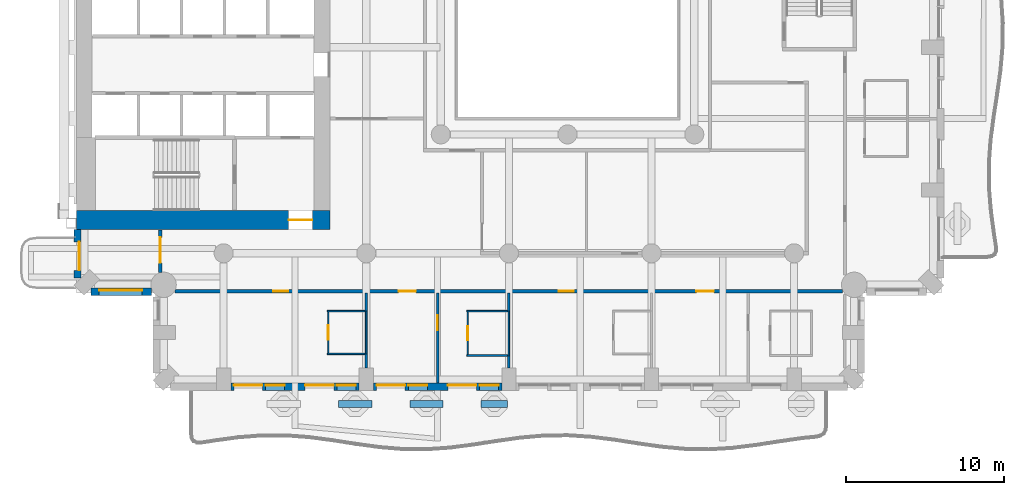
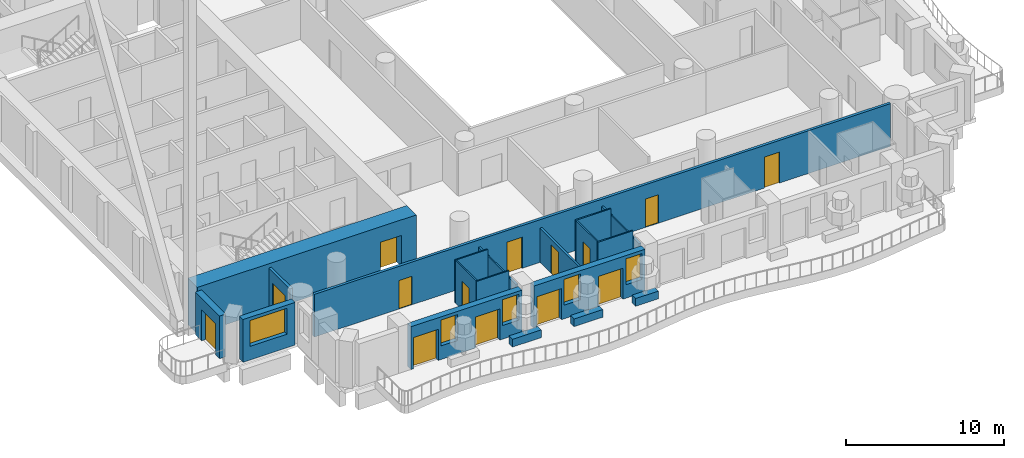
# One storey, part 5 of 24: 23 walls, 14 doors, 5 windows, 19 openings.
"""IFC4 building model written with IfcOpenShell, lengths in metres."""

from ifc_helpers import new_model, si_unit, direction, frame, frame_2d, origin, place, context, subcontext, project, spatial, rectangle, extrude, material, layer, layer_set, type_object, element, fill, save


model = new_model("IFC4")

# Units and contexts
model_context = context("Model", 3, precision=1e-05, world=origin(), true_north=direction((0.0, 1.0)))
body_context = subcontext(model_context, "Body", "Model", "MODEL_VIEW")
ifc_project = project(units=[si_unit("LENGTHUNIT", "METRE"), si_unit("AREAUNIT", "SQUARE_METRE"), si_unit("VOLUMEUNIT", "CUBIC_METRE"), si_unit("PLANEANGLEUNIT", "RADIAN"), si_unit("MASSUNIT", "GRAM", prefix="KILO")], contexts=[model_context])

# Site, building, storey
site_placement = place(None, origin())
site = spatial("IfcSite", under=ifc_project, at=site_placement, CompositionType="ELEMENT")
building_placement = place(site_placement, origin())
building = spatial("IfcBuilding", under=site, at=building_placement, Name="Cypress Arch Tower", CompositionType="ELEMENT")
storey_placement = place(building_placement, frame((0.0, 0.0, 102.300048828125)))
storey = spatial("IfcBuildingStorey", under=building, at=storey_placement, Name="L20", CompositionType="ELEMENT", Elevation=102.300048828125)

# Walls
ifc_material_1 = material(Name="Concrete C40/50, waterproofed", Category="concrete")
ifc_layer_1 = layer(ifc_material_1, 0.449951171875)
ifc_layer_set_1 = layer_set([ifc_layer_1], Name="Balcony planter wall PW450")
wall_type_1 = type_object("IfcWallType", Name="Balcony planter wall PW450", PredefinedType="SOLIDWALL", material=ifc_layer_set_1)
for number, where, z_axis, x_axis, name in (
    (1, (-13.449951171875, -27.0, 0.0), (0.0, 0.0, 1.0), (1.0, 0.0, 0.0), "Balcony planter wall L20-A03.2"),
    (2, (-8.949951171875, -27.0, 0.0), (0.0, 0.0, 1.0), (1.0, 0.0, 0.0), "Balcony planter wall L20-A03.3"),
):
    element("IfcWall", number, at=place(storey_placement, frame(where, z_axis=z_axis, x_axis=x_axis)), inside=storey, type_object=wall_type_1, Name=name, PredefinedType="SOLIDWALL", context=body_context, shape_type="SweptSolid", body=[
        extrude(rectangle(XDim=2.099853515625, YDim=0.449951171875, at=frame_2d((1.0498046875, 0.0))), origin(), (0.0, 0.0, 1.0), 0.599853515625),
    ])
wall_1_placement = place(storey_placement, frame((-4.449951171875, -27.0, 0.0), z_axis=(0.0, 0.0, 1.0), x_axis=(1.0, 0.0, 0.0)))
element("IfcWall", 3, at=wall_1_placement, inside=storey, type_object=wall_type_1, Name="Balcony planter wall L20-A03.4", PredefinedType="SOLIDWALL", context=body_context, shape_type="SweptSolid", body=[
    extrude(rectangle(XDim=1.64990234375, YDim=0.449951171875, at=frame_2d((0.824951171875, 0.0))), origin(), (0.0, 0.0, 1.0), 0.599853515625),
])

# Wall, opening, door
ifc_material_2 = material(Name="Brick (red buff blend)", Category="masonry")
ifc_layer_2 = layer(ifc_material_2, 0.449951171875)
ifc_layer_set_2 = layer_set([ifc_layer_2], Name="Brick pier and spandrel wall BW450")
wall_type_2 = type_object("IfcWallType", Name="Brick pier and spandrel wall BW450", PredefinedType="SOLIDWALL", material=ifc_layer_set_2)
wall_2_placement = place(storey_placement, frame((-29.925048828125, -16.0, 0.0), z_axis=(0.0, 0.0, 1.0), x_axis=(0.0, -1.0, 0.0)))
wall_2 = element("IfcWall", 4, at=wall_2_placement, inside=storey, type_object=wall_type_2, Name="Brick wall L20 A00.0.1", PredefinedType="SOLIDWALL", context=body_context, shape_type="SweptSolid", body=[
    extrude(rectangle(XDim=3.063720703125, YDim=0.449951171875, at=frame_2d((1.53173828125, 0.0))), origin(), (0.0, 0.0, 1.0), 3.300048828125),
])
opening_1_placement = place(wall_2_placement, frame((0.78173828125, 0.0, 0.0)))
opening_1 = element("IfcOpeningElement", 5, at=opening_1_placement, cuts=wall_2, Name="Opening D-L20-A00.0.1.9", PredefinedType="OPENING", context=body_context, shape_type="SweptSolid", body=[
    extrude(rectangle(XDim=1.800048828125, YDim=2.39990234375, at=frame_2d((0.89990234375, 1.199951171875))), frame((0.0, 0.23486328125, 0.0), z_axis=(0.0, -1.0, 0.0), x_axis=(1.0, 0.0, 0.0)), (0.0, 0.0, 1.0), 0.469970703125),
])
ifc_material_3 = material(Name="Anodised aluminium, bronze finish, laminated low-emissivity double glazing, large-missile impact rated", Category="aluminium")
door_type_1 = type_object("IfcDoorType", Name="Balcony sliding door 1800x2400", OperationType="SLIDING_TO_LEFT", PredefinedType="DOOR", material=ifc_material_3)
door_1_placement = place(opening_1_placement, origin())
door_1 = element("IfcDoor", 6, at=door_1_placement, inside=storey, type_object=door_type_1, Name="Balcony door L20 A00.0.1.9", OperationType="SLIDING_TO_LEFT", OverallHeight=2.39990234375, OverallWidth=1.800048828125, PredefinedType="DOOR", context=body_context, shape_type="SweptSolid", body=[
    extrude(rectangle(XDim=1.800048828125, YDim=2.39990234375, at=frame_2d((0.89990234375, 1.199951171875))), frame((0.0, 0.1298828125, 0.0), z_axis=(0.0, -1.0, 0.0), x_axis=(1.0, 0.0, 0.0)), (0.0, 0.0, 1.0), 0.050048828125),
])
fill(opening_1, door_1)

# Wall, opening, window
wall_3_placement = place(storey_placement, frame((-29.063720703125, -19.925048828125, 0.0), z_axis=(0.0, 0.0, 1.0), x_axis=(1.0, 0.0, 0.0)))
wall_3 = element("IfcWall", 7, at=wall_3_placement, inside=storey, type_object=wall_type_2, Name="Brick wall L20 A01.0", PredefinedType="SOLIDWALL", context=body_context, shape_type="SweptSolid", body=[
    extrude(rectangle(XDim=3.80517578125, YDim=0.449951171875, at=frame_2d((1.902587890625, 0.0))), origin(), (0.0, 0.0, 1.0), 3.300048828125),
])
opening_2_placement = place(wall_3_placement, frame((0.513671875, 0.0, 1.050048828125)))
opening_2 = element("IfcOpeningElement", 8, at=opening_2_placement, cuts=wall_3, Name="Opening W270H", PredefinedType="OPENING", context=body_context, shape_type="SweptSolid", body=[
    extrude(rectangle(XDim=2.699951171875, YDim=2.0, at=frame_2d((1.35009765625, 1.0))), frame((0.0, 0.23486328125, 0.0), z_axis=(0.0, -1.0, 0.0), x_axis=(1.0, 0.0, 0.0)), (0.0, 0.0, 1.0), 0.469970703125),
])
ifc_material_4 = material(Name="Anodised aluminium, bronze finish, clear low-emissivity double glazing", Category="aluminium")
window_type_1 = type_object("IfcWindowType", Name="Window Hotel 2700x2000", PartitioningType="SINGLE_PANEL", PredefinedType="WINDOW", material=ifc_material_4)
window_1_placement = place(opening_2_placement, origin())
window_1 = element("IfcWindow", 9, at=window_1_placement, inside=storey, type_object=window_type_1, Name="Window L20 A01.0.1", OverallHeight=2.0, OverallWidth=2.699951171875, PartitioningType="SINGLE_PANEL", PredefinedType="WINDOW", context=body_context, shape_type="SweptSolid", body=[
    extrude(rectangle(XDim=2.699951171875, YDim=2.0, at=frame_2d((1.35009765625, 1.0))), frame((0.0, 0.135009765625, 0.0), z_axis=(0.0, -1.0, 0.0), x_axis=(1.0, 0.0, 0.0)), (0.0, 0.0, 1.0), 0.06005859375),
])
fill(opening_2, window_1)

# Wall, openings, doors, windows
wall_4_placement = place(storey_placement, frame((-20.25, -25.925048828125, 0.0), z_axis=(0.0, 0.0, 1.0), x_axis=(1.0, 0.0, 0.0)))
wall_4 = element("IfcWall", 10, at=wall_4_placement, inside=storey, type_object=wall_type_2, Name="Brick wall L20 A03.1", PredefinedType="SOLIDWALL", context=body_context, shape_type="SweptSolid", body=[
    extrude(rectangle(XDim=8.10009765625, YDim=0.449951171875, at=frame_2d((4.050048828125, 0.0))), origin(), (0.0, 0.0, 1.0), 3.300048828125),
])
opening_3_placement = place(wall_4_placement, frame((0.199951171875, 0.0, 0.0)))
opening_3 = element("IfcOpeningElement", 11, at=opening_3_placement, cuts=wall_4, Name="Opening D-L20-A03.1.1", PredefinedType="OPENING", context=body_context, shape_type="SweptSolid", body=[
    extrude(rectangle(XDim=1.800048828125, YDim=2.39990234375, at=frame_2d((0.89990234375, 1.199951171875))), frame((0.0, 0.23486328125, 0.0), z_axis=(0.0, -1.0, 0.0), x_axis=(1.0, 0.0, 0.0)), (0.0, 0.0, 1.0), 0.469970703125),
])
opening_4_placement = place(wall_4_placement, frame((2.199951171875, 0.0, 1.050048828125)))
opening_4 = element("IfcOpeningElement", 12, at=opening_4_placement, cuts=wall_4, Name="Opening W120HD", PredefinedType="OPENING", context=body_context, shape_type="SweptSolid", body=[
    extrude(rectangle(XDim=1.199951171875, YDim=2.0, at=frame_2d((0.60009765625, 1.0))), frame((0.0, 0.23486328125, 0.0), z_axis=(0.0, -1.0, 0.0), x_axis=(1.0, 0.0, 0.0)), (0.0, 0.0, 1.0), 0.469970703125),
])
opening_5_placement = place(wall_4_placement, frame((4.699951171875, 0.0, 0.0)))
opening_5 = element("IfcOpeningElement", 13, at=opening_5_placement, cuts=wall_4, Name="Opening D-L20-A03.1.2", PredefinedType="OPENING", context=body_context, shape_type="SweptSolid", body=[
    extrude(rectangle(XDim=1.800048828125, YDim=2.39990234375, at=frame_2d((0.89990234375, 1.199951171875))), frame((0.0, 0.23486328125, 0.0), z_axis=(0.0, -1.0, 0.0), x_axis=(1.0, 0.0, 0.0)), (0.0, 0.0, 1.0), 0.469970703125),
])
opening_6_placement = place(wall_4_placement, frame((6.699951171875, 0.0, 1.050048828125)))
opening_6 = element("IfcOpeningElement", 14, at=opening_6_placement, cuts=wall_4, Name="Opening W120HD", PredefinedType="OPENING", context=body_context, shape_type="SweptSolid", body=[
    extrude(rectangle(XDim=1.199951171875, YDim=2.0, at=frame_2d((0.60009765625, 1.0))), frame((0.0, 0.23486328125, 0.0), z_axis=(0.0, -1.0, 0.0), x_axis=(1.0, 0.0, 0.0)), (0.0, 0.0, 1.0), 0.469970703125),
])
door_2_placement = place(opening_3_placement, origin())
door_2 = element("IfcDoor", 15, at=door_2_placement, inside=storey, type_object=door_type_1, Name="Balcony door L20 A03.1.1", OperationType="SLIDING_TO_LEFT", OverallHeight=2.39990234375, OverallWidth=1.800048828125, PredefinedType="DOOR", context=body_context, shape_type="SweptSolid", body=[
    extrude(rectangle(XDim=1.800048828125, YDim=2.39990234375, at=frame_2d((0.89990234375, 1.199951171875))), frame((0.0, 0.1298828125, 0.0), z_axis=(0.0, -1.0, 0.0), x_axis=(1.0, 0.0, 0.0)), (0.0, 0.0, 1.0), 0.050048828125),
])
fill(opening_3, door_2)
door_3_placement = place(opening_5_placement, origin())
door_3 = element("IfcDoor", 16, at=door_3_placement, inside=storey, type_object=door_type_1, Name="Balcony door L20 A03.1.2", OperationType="SLIDING_TO_LEFT", OverallHeight=2.39990234375, OverallWidth=1.800048828125, PredefinedType="DOOR", context=body_context, shape_type="SweptSolid", body=[
    extrude(rectangle(XDim=1.800048828125, YDim=2.39990234375, at=frame_2d((0.89990234375, 1.199951171875))), frame((0.0, 0.1298828125, 0.0), z_axis=(0.0, -1.0, 0.0), x_axis=(1.0, 0.0, 0.0)), (0.0, 0.0, 1.0), 0.050048828125),
])
fill(opening_5, door_3)
ifc_material_5 = material(Name="Anodised aluminium, bronze finish, laminated low-emissivity double glazing, large-missile impact rated", Category="aluminium")
window_type_2 = type_object("IfcWindowType", Name="Window Hotel 1200x2000 debris-rated", PartitioningType="SINGLE_PANEL", PredefinedType="WINDOW", material=ifc_material_5)
window_2_placement = place(opening_4_placement, origin())
window_2 = element("IfcWindow", 17, at=window_2_placement, inside=storey, type_object=window_type_2, Name="Window L20 A03.1.1", OverallHeight=2.0, OverallWidth=1.199951171875, PartitioningType="SINGLE_PANEL", PredefinedType="WINDOW", context=body_context, shape_type="SweptSolid", body=[
    extrude(rectangle(XDim=1.199951171875, YDim=2.0, at=frame_2d((0.60009765625, 1.0))), frame((0.0, 0.135009765625, 0.0), z_axis=(0.0, -1.0, 0.0), x_axis=(1.0, 0.0, 0.0)), (0.0, 0.0, 1.0), 0.06005859375),
])
fill(opening_4, window_2)
window_3_placement = place(opening_6_placement, origin())
window_3 = element("IfcWindow", 18, at=window_3_placement, inside=storey, type_object=window_type_2, Name="Window L20 A03.1.2", OverallHeight=2.0, OverallWidth=1.199951171875, PartitioningType="SINGLE_PANEL", PredefinedType="WINDOW", context=body_context, shape_type="SweptSolid", body=[
    extrude(rectangle(XDim=1.199951171875, YDim=2.0, at=frame_2d((0.60009765625, 1.0))), frame((0.0, 0.135009765625, 0.0), z_axis=(0.0, -1.0, 0.0), x_axis=(1.0, 0.0, 0.0)), (0.0, 0.0, 1.0), 0.06005859375),
])
fill(opening_6, window_3)

wall_5_placement = place(storey_placement, frame((-11.25, -25.925048828125, 0.0), z_axis=(0.0, 0.0, 1.0), x_axis=(1.0, 0.0, 0.0)))
wall_5 = element("IfcWall", 19, at=wall_5_placement, inside=storey, type_object=wall_type_2, Name="Brick wall L20 A03.2", PredefinedType="SOLIDWALL", context=body_context, shape_type="SweptSolid", body=[
    extrude(rectangle(XDim=8.10009765625, YDim=0.449951171875, at=frame_2d((4.050048828125, 0.0))), origin(), (0.0, 0.0, 1.0), 3.300048828125),
])
opening_7_placement = place(wall_5_placement, frame((0.199951171875, 0.0, 0.0)))
opening_7 = element("IfcOpeningElement", 20, at=opening_7_placement, cuts=wall_5, Name="Opening D-L20-A03.2.1", PredefinedType="OPENING", context=body_context, shape_type="SweptSolid", body=[
    extrude(rectangle(XDim=1.800048828125, YDim=2.39990234375, at=frame_2d((0.89990234375, 1.199951171875))), frame((0.0, 0.23486328125, 0.0), z_axis=(0.0, -1.0, 0.0), x_axis=(1.0, 0.0, 0.0)), (0.0, 0.0, 1.0), 0.469970703125),
])
opening_8_placement = place(wall_5_placement, frame((2.199951171875, 0.0, 1.050048828125)))
opening_8 = element("IfcOpeningElement", 21, at=opening_8_placement, cuts=wall_5, Name="Opening W120HD", PredefinedType="OPENING", context=body_context, shape_type="SweptSolid", body=[
    extrude(rectangle(XDim=1.199951171875, YDim=2.0, at=frame_2d((0.60009765625, 1.0))), frame((0.0, 0.23486328125, 0.0), z_axis=(0.0, -1.0, 0.0), x_axis=(1.0, 0.0, 0.0)), (0.0, 0.0, 1.0), 0.469970703125),
])
opening_9_placement = place(wall_5_placement, frame((4.699951171875, 0.0, 0.0)))
opening_9 = element("IfcOpeningElement", 22, at=opening_9_placement, cuts=wall_5, Name="Opening D-L20-A03.2.2", PredefinedType="OPENING", context=body_context, shape_type="SweptSolid", body=[
    extrude(rectangle(XDim=1.800048828125, YDim=2.39990234375, at=frame_2d((0.89990234375, 1.199951171875))), frame((0.0, 0.23486328125, 0.0), z_axis=(0.0, -1.0, 0.0), x_axis=(1.0, 0.0, 0.0)), (0.0, 0.0, 1.0), 0.469970703125),
])
opening_10_placement = place(wall_5_placement, frame((6.699951171875, 0.0, 1.050048828125)))
opening_10 = element("IfcOpeningElement", 23, at=opening_10_placement, cuts=wall_5, Name="Opening W120HD", PredefinedType="OPENING", context=body_context, shape_type="SweptSolid", body=[
    extrude(rectangle(XDim=1.199951171875, YDim=2.0, at=frame_2d((0.60009765625, 1.0))), frame((0.0, 0.23486328125, 0.0), z_axis=(0.0, -1.0, 0.0), x_axis=(1.0, 0.0, 0.0)), (0.0, 0.0, 1.0), 0.469970703125),
])
door_4_placement = place(opening_7_placement, origin())
door_4 = element("IfcDoor", 24, at=door_4_placement, inside=storey, type_object=door_type_1, Name="Balcony door L20 A03.2.1", OperationType="SLIDING_TO_LEFT", OverallHeight=2.39990234375, OverallWidth=1.800048828125, PredefinedType="DOOR", context=body_context, shape_type="SweptSolid", body=[
    extrude(rectangle(XDim=1.800048828125, YDim=2.39990234375, at=frame_2d((0.89990234375, 1.199951171875))), frame((0.0, 0.1298828125, 0.0), z_axis=(0.0, -1.0, 0.0), x_axis=(1.0, 0.0, 0.0)), (0.0, 0.0, 1.0), 0.050048828125),
])
fill(opening_7, door_4)
door_5_placement = place(opening_9_placement, origin())
door_5 = element("IfcDoor", 25, at=door_5_placement, inside=storey, type_object=door_type_1, Name="Balcony door L20 A03.2.2", OperationType="SLIDING_TO_LEFT", OverallHeight=2.39990234375, OverallWidth=1.800048828125, PredefinedType="DOOR", context=body_context, shape_type="SweptSolid", body=[
    extrude(rectangle(XDim=1.800048828125, YDim=2.39990234375, at=frame_2d((0.89990234375, 1.199951171875))), frame((0.0, 0.1298828125, 0.0), z_axis=(0.0, -1.0, 0.0), x_axis=(1.0, 0.0, 0.0)), (0.0, 0.0, 1.0), 0.050048828125),
])
fill(opening_9, door_5)
window_4_placement = place(opening_8_placement, origin())
window_4 = element("IfcWindow", 26, at=window_4_placement, inside=storey, type_object=window_type_2, Name="Window L20 A03.2.1", OverallHeight=2.0, OverallWidth=1.199951171875, PartitioningType="SINGLE_PANEL", PredefinedType="WINDOW", context=body_context, shape_type="SweptSolid", body=[
    extrude(rectangle(XDim=1.199951171875, YDim=2.0, at=frame_2d((0.60009765625, 1.0))), frame((0.0, 0.135009765625, 0.0), z_axis=(0.0, -1.0, 0.0), x_axis=(1.0, 0.0, 0.0)), (0.0, 0.0, 1.0), 0.06005859375),
])
fill(opening_8, window_4)
window_5_placement = place(opening_10_placement, origin())
window_5 = element("IfcWindow", 27, at=window_5_placement, inside=storey, type_object=window_type_2, Name="Window L20 A03.2.2", OverallHeight=2.0, OverallWidth=1.199951171875, PartitioningType="SINGLE_PANEL", PredefinedType="WINDOW", context=body_context, shape_type="SweptSolid", body=[
    extrude(rectangle(XDim=1.199951171875, YDim=2.0, at=frame_2d((0.60009765625, 1.0))), frame((0.0, 0.135009765625, 0.0), z_axis=(0.0, -1.0, 0.0), x_axis=(1.0, 0.0, 0.0)), (0.0, 0.0, 1.0), 0.06005859375),
])
fill(opening_10, window_5)

# Wall, opening, door
ifc_material_6 = material(Name="Concrete C80/95", Category="concrete")
ifc_layer_3 = layer(ifc_material_6, 1.199951171875)
ifc_layer_set_3 = layer_set([ifc_layer_3], Name="Core wall CW1200 C80/95")
wall_type_3 = type_object("IfcWallType", Name="Core wall CW1200 C80/95", PredefinedType="SHEAR", material=ifc_layer_set_3)
wall_6_placement = place(storey_placement, frame((-30.0, -15.39990234375, 0.0), z_axis=(0.0, 0.0, 1.0), x_axis=(1.0, 0.0, 0.0)))
wall_6 = element("IfcWall", 28, at=wall_6_placement, inside=storey, type_object=wall_type_3, Name="Core wall", PredefinedType="SHEAR", context=body_context, shape_type="SweptSolid", body=[
    extrude(rectangle(XDim=16.0, YDim=1.199951171875, at=frame_2d((8.0, 0.0))), origin(), (0.0, 0.0, 1.0), 3.599853515625),
])
opening_11_placement = place(wall_6_placement, frame((13.39990234375, 0.0, 0.0)))
opening_11 = element("IfcOpeningElement", 29, at=opening_11_placement, cuts=wall_6, Name="Opening D07", PredefinedType="OPENING", context=body_context, shape_type="SweptSolid", body=[
    extrude(rectangle(XDim=1.5, YDim=2.39990234375, at=frame_2d((0.75, 1.199951171875))), frame((0.0, 0.60986328125, 0.0), z_axis=(0.0, -1.0, 0.0), x_axis=(1.0, 0.0, 0.0)), (0.0, 0.0, 1.0), 1.219970703125),
])
ifc_material_7 = material(Name="Steel framed glazed door, fire resisting", Category="steel")
door_type_2 = type_object("IfcDoorType", Name="Lobby door D07 1500x2400", OperationType="DOUBLE_DOOR_SINGLE_SWING", PredefinedType="DOOR", material=ifc_material_7)
door_6_placement = place(opening_11_placement, origin())
door_6 = element("IfcDoor", 30, at=door_6_placement, inside=storey, type_object=door_type_2, Name="Lobby door", OperationType="DOUBLE_DOOR_SINGLE_SWING", OverallHeight=2.39990234375, OverallWidth=1.5, PredefinedType="DOOR", context=body_context, shape_type="SweptSolid", body=[
    extrude(rectangle(XDim=1.5, YDim=2.39990234375, at=frame_2d((0.75, 1.199951171875))), frame((0.0, 0.02490234375, 0.0), z_axis=(0.0, -1.0, 0.0), x_axis=(1.0, 0.0, 0.0)), (0.0, 0.0, 1.0), 0.050048828125),
])
fill(opening_11, door_6)

ifc_material_8 = material(Name="Concrete blockwork, plastered, rated", Category="masonry")
ifc_layer_4 = layer(ifc_material_8, 0.199951171875)
ifc_layer_set_4 = layer_set([ifc_layer_4], Name="Corridor wall FW200")
wall_type_4 = type_object("IfcWallType", Name="Corridor wall FW200", PredefinedType="PARTITIONING", material=ifc_layer_set_4)
wall_7_placement = place(storey_placement, frame((-24.699951171875, -18.7001953125, 0.0), z_axis=(0.0, 0.0, 1.0), x_axis=(0.0, 1.0, 0.0)))
wall_7 = element("IfcWall", 31, at=wall_7_placement, inside=storey, type_object=wall_type_4, Name="Corridor wall", PredefinedType="PARTITIONING", context=body_context, shape_type="SweptSolid", body=[
    extrude(rectangle(XDim=2.670166015625, YDim=0.199951171875, at=frame_2d((1.3349609375, 0.0))), origin(), (0.0, 0.0, 1.0), 3.300048828125),
])
opening_12_placement = place(wall_7_placement, frame((0.60009765625, 0.0, 0.0)))
opening_12 = element("IfcOpeningElement", 32, at=opening_12_placement, cuts=wall_7, Name="Opening D10", PredefinedType="OPENING", context=body_context, shape_type="SweptSolid", body=[
    extrude(rectangle(XDim=1.60009765625, YDim=2.39990234375, at=frame_2d((0.800048828125, 1.199951171875))), frame((0.0, 0.10986328125, 0.0), z_axis=(0.0, -1.0, 0.0), x_axis=(1.0, 0.0, 0.0)), (0.0, 0.0, 1.0), 0.219970703125),
])
ifc_material_9 = material(Name="Black aluminium glazed door", Category="aluminium")
door_type_3 = type_object("IfcDoorType", Name="Amenity door D10 1600x2400", OperationType="DOUBLE_DOOR_SINGLE_SWING", PredefinedType="DOOR", material=ifc_material_9)
door_7_placement = place(opening_12_placement, origin())
door_7 = element("IfcDoor", 33, at=door_7_placement, inside=storey, type_object=door_type_3, Name="Amenity door", OperationType="DOUBLE_DOOR_SINGLE_SWING", OverallHeight=2.39990234375, OverallWidth=1.60009765625, PredefinedType="DOOR", context=body_context, shape_type="SweptSolid", body=[
    extrude(rectangle(XDim=1.60009765625, YDim=2.39990234375, at=frame_2d((0.800048828125, 1.199951171875))), frame((0.0, 0.02490234375, 0.0), z_axis=(0.0, -1.0, 0.0), x_axis=(1.0, 0.0, 0.0)), (0.0, 0.0, 1.0), 0.050048828125),
])
fill(opening_12, door_7)

# Wall, openings, doors
wall_8_placement = place(storey_placement, frame((-23.765380859375, -19.89990234375, 0.0), z_axis=(0.0, 0.0, 1.0), x_axis=(1.0, 0.0, 0.0)))
wall_8 = element("IfcWall", 34, at=wall_8_placement, inside=storey, type_object=wall_type_4, Name="Corridor wall", PredefinedType="PARTITIONING", context=body_context, shape_type="SweptSolid", body=[
    extrude(rectangle(XDim=42.12548828125, YDim=0.199951171875, at=frame_2d((21.062744140625, 0.0))), origin(), (0.0, 0.0, 1.0), 3.300048828125),
])
opening_13_placement = place(wall_8_placement, frame((6.199951171875, 0.0, 0.0)))
opening_13 = element("IfcOpeningElement", 35, at=opening_13_placement, cuts=wall_8, Name="Opening D02", PredefinedType="OPENING", context=body_context, shape_type="SweptSolid", body=[
    extrude(rectangle(XDim=0.949951171875, YDim=2.199951171875, at=frame_2d((0.47509765625, 1.10009765625))), frame((0.0, 0.10986328125, 0.0), z_axis=(0.0, -1.0, 0.0), x_axis=(1.0, 0.0, 0.0)), (0.0, 0.0, 1.0), 0.219970703125),
])
opening_14_placement = place(wall_8_placement, frame((14.10009765625, 0.0, 0.0)))
opening_14 = element("IfcOpeningElement", 36, at=opening_14_placement, cuts=wall_8, Name="Opening D01", PredefinedType="OPENING", context=body_context, shape_type="SweptSolid", body=[
    extrude(rectangle(XDim=1.10009765625, YDim=2.39990234375, at=frame_2d((0.550048828125, 1.199951171875))), frame((0.0, 0.10986328125, 0.0), z_axis=(0.0, -1.0, 0.0), x_axis=(1.0, 0.0, 0.0)), (0.0, 0.0, 1.0), 0.219970703125),
])
opening_15_placement = place(wall_8_placement, frame((24.199951171875, 0.0, 0.0)))
opening_15 = element("IfcOpeningElement", 37, at=opening_15_placement, cuts=wall_8, Name="Opening D02", PredefinedType="OPENING", context=body_context, shape_type="SweptSolid", body=[
    extrude(rectangle(XDim=0.949951171875, YDim=2.199951171875, at=frame_2d((0.47509765625, 1.10009765625))), frame((0.0, 0.10986328125, 0.0), z_axis=(0.0, -1.0, 0.0), x_axis=(1.0, 0.0, 0.0)), (0.0, 0.0, 1.0), 0.219970703125),
])
opening_16_placement = place(wall_8_placement, frame((32.89990234375, 0.0, 0.0)))
opening_16 = element("IfcOpeningElement", 38, at=opening_16_placement, cuts=wall_8, Name="Opening D01", PredefinedType="OPENING", context=body_context, shape_type="SweptSolid", body=[
    extrude(rectangle(XDim=1.10009765625, YDim=2.39990234375, at=frame_2d((0.550048828125, 1.199951171875))), frame((0.0, 0.10986328125, 0.0), z_axis=(0.0, -1.0, 0.0), x_axis=(1.0, 0.0, 0.0)), (0.0, 0.0, 1.0), 0.219970703125),
])
ifc_material_10 = material(Name="Timber flush door, fire resisting", Category="wood")
door_type_4 = type_object("IfcDoorType", Name="Room door D02 950x2200", OperationType="SINGLE_SWING_LEFT", PredefinedType="DOOR", material=ifc_material_10)
door_8_placement = place(opening_13_placement, origin())
door_8 = element("IfcDoor", 39, at=door_8_placement, inside=storey, type_object=door_type_4, Name="Room door", OperationType="SINGLE_SWING_RIGHT", OverallHeight=2.199951171875, OverallWidth=0.949951171875, PredefinedType="DOOR", context=body_context, shape_type="SweptSolid", body=[
    extrude(rectangle(XDim=0.949951171875, YDim=2.199951171875, at=frame_2d((0.47509765625, 1.10009765625))), frame((0.0, 0.02490234375, 0.0), z_axis=(0.0, -1.0, 0.0), x_axis=(1.0, 0.0, 0.0)), (0.0, 0.0, 1.0), 0.050048828125),
])
fill(opening_13, door_8)
door_9_placement = place(opening_15_placement, origin())
door_9 = element("IfcDoor", 40, at=door_9_placement, inside=storey, type_object=door_type_4, Name="Room door", OperationType="SINGLE_SWING_LEFT", OverallHeight=2.199951171875, OverallWidth=0.949951171875, PredefinedType="DOOR", context=body_context, shape_type="SweptSolid", body=[
    extrude(rectangle(XDim=0.949951171875, YDim=2.199951171875, at=frame_2d((0.47509765625, 1.10009765625))), frame((0.0, 0.02490234375, 0.0), z_axis=(0.0, -1.0, 0.0), x_axis=(1.0, 0.0, 0.0)), (0.0, 0.0, 1.0), 0.050048828125),
])
fill(opening_15, door_9)
ifc_material_11 = material(Name="Timber flush door, fire resisting, self-closing", Category="wood")
door_type_5 = type_object("IfcDoorType", Name="Unit entrance door D01 1100x2400", OperationType="SINGLE_SWING_LEFT", PredefinedType="DOOR", material=ifc_material_11)
door_10_placement = place(opening_14_placement, origin())
door_10 = element("IfcDoor", 41, at=door_10_placement, inside=storey, type_object=door_type_5, Name="Unit entrance door", OperationType="SINGLE_SWING_LEFT", OverallHeight=2.39990234375, OverallWidth=1.10009765625, PredefinedType="DOOR", context=body_context, shape_type="SweptSolid", body=[
    extrude(rectangle(XDim=1.10009765625, YDim=2.39990234375, at=frame_2d((0.550048828125, 1.199951171875))), frame((0.0, 0.02490234375, 0.0), z_axis=(0.0, -1.0, 0.0), x_axis=(1.0, 0.0, 0.0)), (0.0, 0.0, 1.0), 0.050048828125),
])
fill(opening_14, door_10)
door_11_placement = place(opening_16_placement, origin())
door_11 = element("IfcDoor", 42, at=door_11_placement, inside=storey, type_object=door_type_5, Name="Unit entrance door", OperationType="SINGLE_SWING_LEFT", OverallHeight=2.39990234375, OverallWidth=1.10009765625, PredefinedType="DOOR", context=body_context, shape_type="SweptSolid", body=[
    extrude(rectangle(XDim=1.10009765625, YDim=2.39990234375, at=frame_2d((0.550048828125, 1.199951171875))), frame((0.0, 0.02490234375, 0.0), z_axis=(0.0, -1.0, 0.0), x_axis=(1.0, 0.0, 0.0)), (0.0, 0.0, 1.0), 0.050048828125),
])
fill(opening_16, door_11)

# Walls
ifc_material_12 = material(Name="Blockwork, plastered both sides", Category="masonry")
ifc_layer_5 = layer(ifc_material_12, 0.14990234375)
ifc_layer_set_5 = layer_set([ifc_layer_5], Name="Partition PW150")
wall_type_5 = type_object("IfcWallType", Name="Partition PW150", PredefinedType="PARTITIONING", material=ifc_layer_set_5)
wall_9_placement = place(storey_placement, frame((-11.699951171875, -24.75, 0.0), z_axis=(0.0, 0.0, 1.0), x_axis=(0.0, 1.0, 0.0)))
element("IfcWall", 43, at=wall_9_placement, inside=storey, type_object=wall_type_5, Name="Partition", PredefinedType="PARTITIONING", context=body_context, shape_type="SweptSolid", body=[
    extrude(rectangle(XDim=0.8798828125, YDim=0.14990234375, at=frame_2d((0.43994140625, 0.0))), origin(), (0.0, 0.0, 1.0), 2.75),
])
wall_10_placement = place(storey_placement, frame((-11.699951171875, -21.1298828125, 0.0), z_axis=(0.0, 0.0, 1.0), x_axis=(0.0, 1.0, 0.0)))
element("IfcWall", 44, at=wall_10_placement, inside=storey, type_object=wall_type_5, Name="Partition", PredefinedType="PARTITIONING", context=body_context, shape_type="SweptSolid", body=[
    extrude(rectangle(XDim=1.1298828125, YDim=0.14990234375, at=frame_2d((0.56494140625, 0.0))), origin(), (0.0, 0.0, 1.0), 2.75),
])

# Wall, opening, door
wall_11_placement = place(storey_placement, frame((-7.199951171875, -25.699951171875, 0.0), z_axis=(0.0, 0.0, 1.0), x_axis=(0.0, 1.0, 0.0)))
wall_11 = element("IfcWall", 45, at=wall_11_placement, inside=storey, type_object=wall_type_5, Name="Partition", PredefinedType="PARTITIONING", context=body_context, shape_type="SweptSolid", body=[
    extrude(rectangle(XDim=5.699951171875, YDim=0.14990234375, at=frame_2d((2.85009765625, 0.0))), origin(), (0.0, 0.0, 1.0), 2.64990234375),
])
opening_17_placement = place(wall_11_placement, frame((3.35009765625, 0.0, 0.0)))
opening_17 = element("IfcOpeningElement", 46, at=opening_17_placement, cuts=wall_11, Name="Opening D12", PredefinedType="OPENING", context=body_context, shape_type="SweptSolid", body=[
    extrude(rectangle(XDim=0.949951171875, YDim=2.199951171875, at=frame_2d((0.47509765625, 1.10009765625))), frame((0.0, 0.0849609375, 0.0), z_axis=(0.0, -1.0, 0.0), x_axis=(1.0, 0.0, 0.0)), (0.0, 0.0, 1.0), 0.169921875),
])
ifc_material_13 = material(Name="Timber flush door", Category="wood")
door_type_6 = type_object("IfcDoorType", Name="Room door D12 950x2200", OperationType="SINGLE_SWING_LEFT", PredefinedType="DOOR", material=ifc_material_13)
door_12_placement = place(opening_17_placement, origin())
door_12 = element("IfcDoor", 47, at=door_12_placement, inside=storey, type_object=door_type_6, Name="Room door", OperationType="SINGLE_SWING_RIGHT", OverallHeight=2.199951171875, OverallWidth=0.949951171875, PredefinedType="DOOR", context=body_context, shape_type="SweptSolid", body=[
    extrude(rectangle(XDim=0.949951171875, YDim=2.199951171875, at=frame_2d((0.47509765625, 1.10009765625))), frame((0.0, 0.02490234375, 0.0), z_axis=(0.0, -1.0, 0.0), x_axis=(1.0, 0.0, 0.0)), (0.0, 0.0, 1.0), 0.050048828125),
])
fill(opening_17, door_12)

# Walls
wall_12_placement = place(storey_placement, frame((-2.699951171875, -24.75, 0.0), z_axis=(0.0, 0.0, 1.0), x_axis=(0.0, 1.0, 0.0)))
element("IfcWall", 48, at=wall_12_placement, inside=storey, type_object=wall_type_5, Name="Partition", PredefinedType="PARTITIONING", context=body_context, shape_type="SweptSolid", body=[
    extrude(rectangle(XDim=0.780029296875, YDim=0.14990234375, at=frame_2d((0.39013671875, 0.0))), origin(), (0.0, 0.0, 1.0), 2.75),
])
wall_13_placement = place(storey_placement, frame((-2.699951171875, -21.1298828125, 0.0), z_axis=(0.0, 0.0, 1.0), x_axis=(0.0, 1.0, 0.0)))
element("IfcWall", 49, at=wall_13_placement, inside=storey, type_object=wall_type_5, Name="Partition", PredefinedType="PARTITIONING", context=body_context, shape_type="SweptSolid", body=[
    extrude(rectangle(XDim=1.1298828125, YDim=0.14990234375, at=frame_2d((0.56494140625, 0.0))), origin(), (0.0, 0.0, 1.0), 2.75),
])

# Wall, opening, door
ifc_material_14 = material(Name="Moisture resistant board on steel studs, tiled", Category="steel")
ifc_layer_6 = layer(ifc_material_14, 0.10009765625)
ifc_layer_set_6 = layer_set([ifc_layer_6], Name="Wet wall PW100")
wall_type_6 = type_object("IfcWallType", Name="Wet wall PW100", PredefinedType="PARTITIONING", material=ifc_layer_set_6)
wall_14_placement = place(storey_placement, frame((-14.095947265625, -23.800048828125, 0.0), z_axis=(0.0, 0.0, 1.0), x_axis=(0.0, 1.0, 0.0)))
wall_14 = element("IfcWall", 50, at=wall_14_placement, inside=storey, type_object=wall_type_6, Name="Wet wall", PredefinedType="PARTITIONING", context=body_context, shape_type="SweptSolid", body=[
    extrude(rectangle(XDim=2.60009765625, YDim=0.10009765625, at=frame_2d((1.300048828125, 0.0))), origin(), (0.0, 0.0, 1.0), 3.300048828125),
])
opening_18_placement = place(wall_14_placement, frame((0.85009765625, 0.0, 0.0)))
opening_18 = element("IfcOpeningElement", 51, at=opening_18_placement, cuts=wall_14, Name="Opening D03", PredefinedType="OPENING", context=body_context, shape_type="SweptSolid", body=[
    extrude(rectangle(XDim=0.89990234375, YDim=2.199951171875, at=frame_2d((0.449951171875, 1.10009765625))), frame((0.0, 0.06005859375, 0.0), z_axis=(0.0, -1.0, 0.0), x_axis=(1.0, 0.0, 0.0)), (0.0, 0.0, 1.0), 0.1201171875),
])
ifc_material_15 = material(Name="Timber flush door, moisture resistant", Category="wood")
door_type_7 = type_object("IfcDoorType", Name="Bathroom door D03 900x2200", OperationType="SINGLE_SWING_LEFT", PredefinedType="DOOR", material=ifc_material_15)
door_13_placement = place(opening_18_placement, origin())
door_13 = element("IfcDoor", 52, at=door_13_placement, inside=storey, type_object=door_type_7, Name="Bathroom door", OperationType="SINGLE_SWING_RIGHT", OverallHeight=2.199951171875, OverallWidth=0.89990234375, PredefinedType="DOOR", context=body_context, shape_type="SweptSolid", body=[
    extrude(rectangle(XDim=0.89990234375, YDim=2.199951171875, at=frame_2d((0.449951171875, 1.10009765625))), frame((0.0, 0.02490234375, 0.0), z_axis=(0.0, -1.0, 0.0), x_axis=(1.0, 0.0, 0.0)), (0.0, 0.0, 1.0), 0.050048828125),
])
fill(opening_18, door_13)

# Walls
for number, where, z_axis, x_axis, name in (
    (53, (-14.14599609375, -23.85009765625, 0.0), (0.0, 0.0, 1.0), (1.0, 0.0, 0.0), "Wet wall"),
    (54, (-14.14599609375, -21.14990234375, 0.0), (0.0, 0.0, 1.0), (1.0, 0.0, 0.0), "Wet wall"),
):
    element("IfcWall", number, at=place(storey_placement, frame(where, z_axis=z_axis, x_axis=x_axis)), inside=storey, type_object=wall_type_6, Name=name, PredefinedType="PARTITIONING", context=body_context, shape_type="SweptSolid", body=[
        extrude(rectangle(XDim=2.37109375, YDim=0.10009765625, at=frame_2d((1.185546875, 0.0))), origin(), (0.0, 0.0, 1.0), 3.300048828125),
    ])
wall_15_placement = place(storey_placement, frame((-11.699951171875, -23.8701171875, 0.0), z_axis=(0.0, 0.0, 1.0), x_axis=(0.0, 1.0, 0.0)))
element("IfcWall", 55, at=wall_15_placement, inside=storey, type_object=wall_type_6, Name="Wet wall", PredefinedType="PARTITIONING", context=body_context, shape_type="SweptSolid", body=[
    extrude(rectangle(XDim=2.740234375, YDim=0.10009765625, at=frame_2d((1.3701171875, 0.0))), origin(), (0.0, 0.0, 1.0), 2.75),
])

# Wall, opening, door
wall_16_placement = place(storey_placement, frame((-5.2958984375, -23.89990234375, 0.0), z_axis=(0.0, 0.0, 1.0), x_axis=(0.0, 1.0, 0.0)))
wall_16 = element("IfcWall", 56, at=wall_16_placement, inside=storey, type_object=wall_type_6, Name="Wet wall", PredefinedType="PARTITIONING", context=body_context, shape_type="SweptSolid", body=[
    extrude(rectangle(XDim=2.699951171875, YDim=0.10009765625, at=frame_2d((1.35009765625, 0.0))), origin(), (0.0, 0.0, 1.0), 3.300048828125),
])
opening_19_placement = place(wall_16_placement, frame((0.89990234375, 0.0, 0.0)))
opening_19 = element("IfcOpeningElement", 57, at=opening_19_placement, cuts=wall_16, Name="Opening D03", PredefinedType="OPENING", context=body_context, shape_type="SweptSolid", body=[
    extrude(rectangle(XDim=0.89990234375, YDim=2.199951171875, at=frame_2d((0.449951171875, 1.10009765625))), frame((0.0, 0.06005859375, 0.0), z_axis=(0.0, -1.0, 0.0), x_axis=(1.0, 0.0, 0.0)), (0.0, 0.0, 1.0), 0.1201171875),
])
door_14_placement = place(opening_19_placement, origin())
door_14 = element("IfcDoor", 58, at=door_14_placement, inside=storey, type_object=door_type_7, Name="Bathroom door", OperationType="SINGLE_SWING_LEFT", OverallHeight=2.199951171875, OverallWidth=0.89990234375, PredefinedType="DOOR", context=body_context, shape_type="SweptSolid", body=[
    extrude(rectangle(XDim=0.89990234375, YDim=2.199951171875, at=frame_2d((0.449951171875, 1.10009765625))), frame((0.0, 0.02490234375, 0.0), z_axis=(0.0, -1.0, 0.0), x_axis=(1.0, 0.0, 0.0)), (0.0, 0.0, 1.0), 0.050048828125),
])
fill(opening_19, door_14)

# Walls
for number, where, z_axis, x_axis, name in (
    (59, (-5.345947265625, -23.949951171875, 0.0), (0.0, 0.0, 1.0), (1.0, 0.0, 0.0), "Wet wall"),
    (60, (-5.345947265625, -21.14990234375, 0.0), (0.0, 0.0, 1.0), (1.0, 0.0, 0.0), "Wet wall"),
):
    element("IfcWall", number, at=place(storey_placement, frame(where, z_axis=z_axis, x_axis=x_axis)), inside=storey, type_object=wall_type_6, Name=name, PredefinedType="PARTITIONING", context=body_context, shape_type="SweptSolid", body=[
        extrude(rectangle(XDim=2.571044921875, YDim=0.10009765625, at=frame_2d((1.28564453125, 0.0))), origin(), (0.0, 0.0, 1.0), 3.300048828125),
    ])
wall_17_placement = place(storey_placement, frame((-2.699951171875, -23.969970703125, 0.0), z_axis=(0.0, 0.0, 1.0), x_axis=(0.0, 1.0, 0.0)))
element("IfcWall", 61, at=wall_17_placement, inside=storey, type_object=wall_type_6, Name="Wet wall", PredefinedType="PARTITIONING", context=body_context, shape_type="SweptSolid", body=[
    extrude(rectangle(XDim=2.840087890625, YDim=0.10009765625, at=frame_2d((1.419921875, 0.0))), origin(), (0.0, 0.0, 1.0), 2.75),
])

save(model, "model.ifc")
